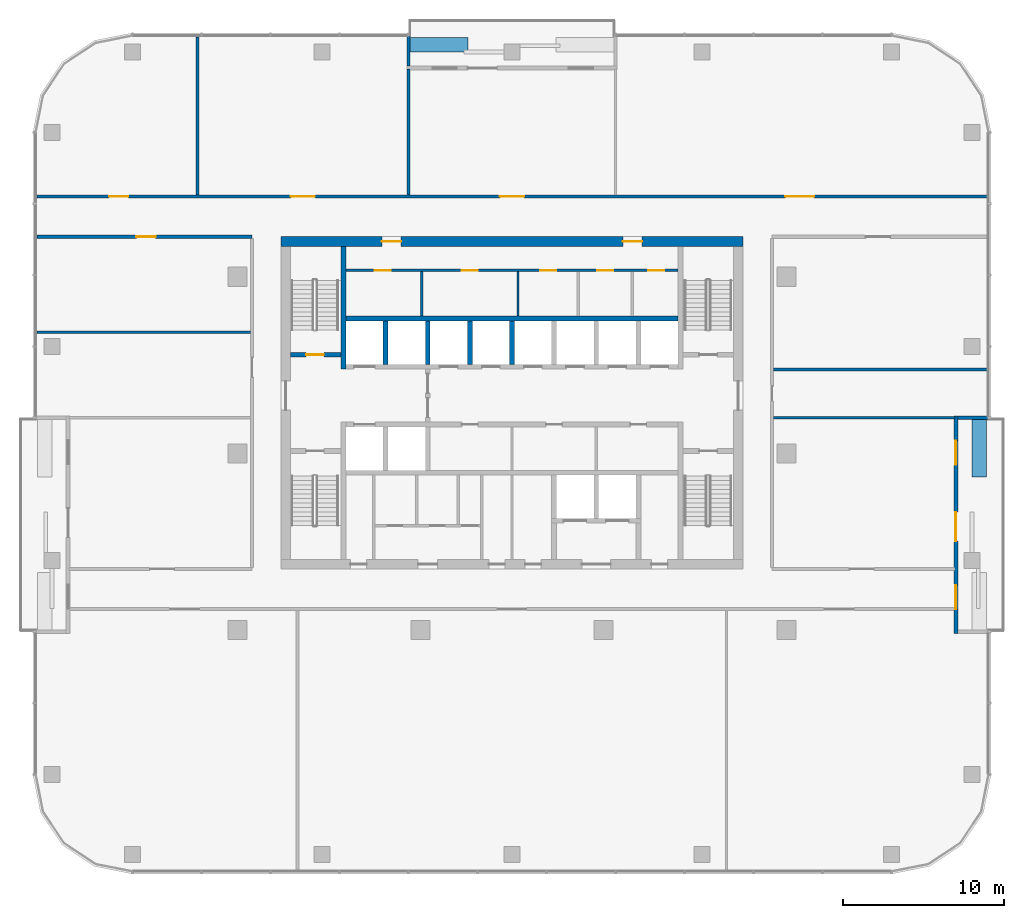
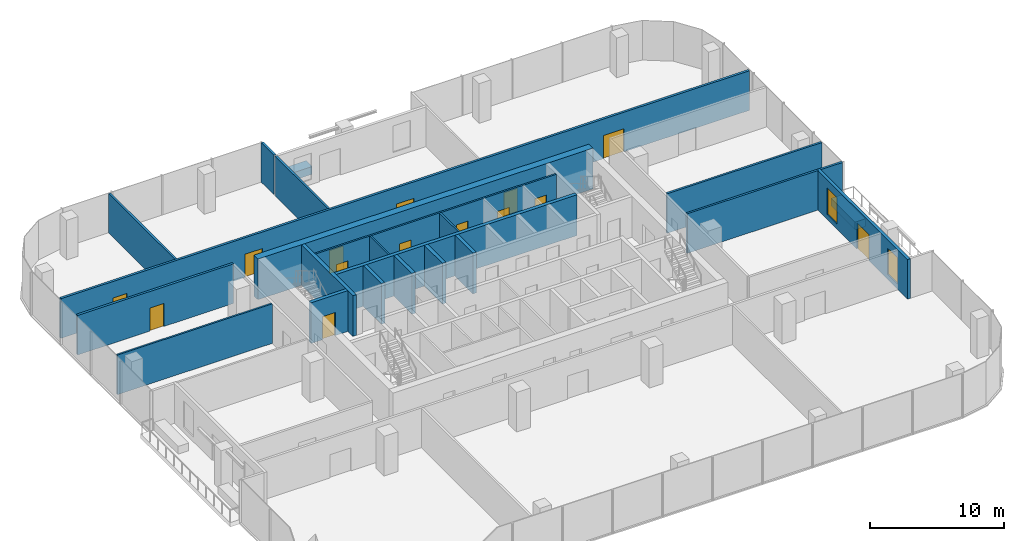
# One storey, part 9 of 13: 23 walls, 14 doors, 2 windows, 16 openings.
"""IFC4 building model written with IfcOpenShell, lengths in metres."""

from ifc_helpers import new_model, si_unit, direction, frame, frame_2d, origin, place, context, subcontext, project, spatial, rectangle, extrude, material, layer, layer_set, type_object, element, fill, save


model = new_model("IFC4")

# Units and contexts
model_context = context("Model", 3, precision=1e-05, world=origin(), true_north=direction((0.0, 1.0)))
body_context = subcontext(model_context, "Body", "Model", "MODEL_VIEW")
ifc_project = project(units=[si_unit("LENGTHUNIT", "METRE"), si_unit("AREAUNIT", "SQUARE_METRE"), si_unit("VOLUMEUNIT", "CUBIC_METRE"), si_unit("PLANEANGLEUNIT", "RADIAN"), si_unit("MASSUNIT", "GRAM", prefix="KILO")], contexts=[model_context])

# Site, building, storey
site_placement = place(None, origin())
site = spatial("IfcSite", under=ifc_project, at=site_placement, CompositionType="ELEMENT")
building_placement = place(site_placement, origin())
building = spatial("IfcBuilding", under=site, at=building_placement, Name="Mopane Tessera Tower", CompositionType="ELEMENT")
storey_placement = place(building_placement, frame((0.0, 0.0, 275.39990234375)))
storey = spatial("IfcBuildingStorey", under=building, at=storey_placement, Name="L59", CompositionType="ELEMENT", Elevation=275.39990234375)

# Walls
ifc_material_1 = material(Name="Fire-rated gypsum board partition")
ifc_layer_1 = layer(ifc_material_1, 0.14990234375)
ifc_layer_set_1 = layer_set([ifc_layer_1], Name="Fire-rated gypsum board partition")
wall_type_1 = type_object("IfcWallType", Name="Core room partition 150 mm", PredefinedType="PARTITIONING", material=ifc_layer_set_1)
for number, where, z_axis, x_axis, name in (
    (1, (-5.625, 8.550048828125, 0.0), (0.0, 0.0, 1.0), (0.0, 1.0, 0.0), "L59 Room partition"),
    (2, (0.375, 8.550048828125, 0.0), (0.0, 0.0, 1.0), (0.0, 1.0, 0.0), "L59 Room partition"),
):
    element("IfcWall", number, at=place(storey_placement, frame(where, z_axis=z_axis, x_axis=x_axis)), inside=storey, type_object=wall_type_1, Name=name, PredefinedType="PARTITIONING", context=body_context, shape_type="SweptSolid", body=[
        extrude(rectangle(XDim=2.77490234375, YDim=0.14990234375, at=frame_2d((1.387451171875, 0.0))), origin(), (0.0, 0.0, 1.0), 3.7001953125),
    ])

# Wall, openings, doors
wall_1_placement = place(storey_placement, frame((-10.35009765625, 11.39990234375, 0.0), z_axis=(0.0, 0.0, 1.0), x_axis=(1.0, 0.0, 0.0)))
wall_1 = element("IfcWall", 3, at=wall_1_placement, inside=storey, type_object=wall_type_1, Name="L59 Corridor wall", PredefinedType="PARTITIONING", context=body_context, shape_type="SweptSolid", body=[
    extrude(rectangle(XDim=20.7001953125, YDim=0.14990234375, at=frame_2d((10.35009765625, 0.0))), origin(), (0.0, 0.0, 1.0), 3.7001953125),
])
opening_1_placement = place(wall_1_placement, frame((1.78759765625, 0.0, 0.0)))
opening_1 = element("IfcOpeningElement", 4, at=opening_1_placement, cuts=wall_1, Name="Opening RD1", PredefinedType="OPENING", context=body_context, shape_type="SweptSolid", body=[
    extrude(rectangle(XDim=1.0, YDim=2.10009765625, at=frame_2d((0.5, 1.050048828125))), frame((0.0, 0.0869140625, 0.0), z_axis=(0.0, -1.0, 0.0), x_axis=(1.0, 0.0, 0.0)), (0.0, 0.0, 1.0), 0.173828125),
])
opening_2_placement = place(wall_1_placement, frame((7.22509765625, 0.0, 0.0)))
opening_2 = element("IfcOpeningElement", 5, at=opening_2_placement, cuts=wall_1, Name="Opening RD1", PredefinedType="OPENING", context=body_context, shape_type="SweptSolid", body=[
    extrude(rectangle(XDim=1.0, YDim=2.10009765625, at=frame_2d((0.5, 1.050048828125))), frame((0.0, 0.0869140625, 0.0), z_axis=(0.0, -1.0, 0.0), x_axis=(1.0, 0.0, 0.0)), (0.0, 0.0, 1.0), 0.173828125),
])
opening_3_placement = place(wall_1_placement, frame((12.10009765625, 0.0, 0.0)))
opening_3 = element("IfcOpeningElement", 6, at=opening_3_placement, cuts=wall_1, Name="Opening RD1", PredefinedType="OPENING", context=body_context, shape_type="SweptSolid", body=[
    extrude(rectangle(XDim=1.0, YDim=2.10009765625, at=frame_2d((0.5, 1.050048828125))), frame((0.0, 0.0869140625, 0.0), z_axis=(0.0, -1.0, 0.0), x_axis=(1.0, 0.0, 0.0)), (0.0, 0.0, 1.0), 0.173828125),
])
opening_4_placement = place(wall_1_placement, frame((15.66259765625, 0.0, 0.0)))
opening_4 = element("IfcOpeningElement", 7, at=opening_4_placement, cuts=wall_1, Name="Opening RD1", PredefinedType="OPENING", context=body_context, shape_type="SweptSolid", body=[
    extrude(rectangle(XDim=1.0, YDim=2.10009765625, at=frame_2d((0.5, 1.050048828125))), frame((0.0, 0.0869140625, 0.0), z_axis=(0.0, -1.0, 0.0), x_axis=(1.0, 0.0, 0.0)), (0.0, 0.0, 1.0), 0.173828125),
])
opening_5_placement = place(wall_1_placement, frame((18.85009765625, 0.0, 0.0)))
opening_5 = element("IfcOpeningElement", 8, at=opening_5_placement, cuts=wall_1, Name="Opening RD1", PredefinedType="OPENING", context=body_context, shape_type="SweptSolid", body=[
    extrude(rectangle(XDim=1.0, YDim=2.10009765625, at=frame_2d((0.5, 1.050048828125))), frame((0.0, 0.0869140625, 0.0), z_axis=(0.0, -1.0, 0.0), x_axis=(1.0, 0.0, 0.0)), (0.0, 0.0, 1.0), 0.173828125),
])
ifc_material_2 = material(Name="Timber door", Category="wood")
door_type_1 = type_object("IfcDoorType", Name="Core room door 1000 x 2100", OperationType="SINGLE_SWING_LEFT", PredefinedType="DOOR", material=ifc_material_2)
door_1_placement = place(opening_1_placement, origin())
door_1 = element("IfcDoor", 9, at=door_1_placement, inside=storey, type_object=door_type_1, Name="L59 Room door", OperationType="SINGLE_SWING_LEFT", OverallHeight=2.10009765625, OverallWidth=1.0, PredefinedType="DOOR", context=body_context, shape_type="SweptSolid", body=[
    extrude(rectangle(XDim=1.0, YDim=2.10009765625, at=frame_2d((0.5, 1.050048828125))), frame((0.0, 0.02490234375, 0.0), z_axis=(0.0, -1.0, 0.0), x_axis=(1.0, 0.0, 0.0)), (0.0, 0.0, 1.0), 0.050048828125),
])
fill(opening_1, door_1)
door_2_placement = place(opening_2_placement, origin())
door_2 = element("IfcDoor", 10, at=door_2_placement, inside=storey, type_object=door_type_1, Name="L59 Room door", OperationType="SINGLE_SWING_LEFT", OverallHeight=2.10009765625, OverallWidth=1.0, PredefinedType="DOOR", context=body_context, shape_type="SweptSolid", body=[
    extrude(rectangle(XDim=1.0, YDim=2.10009765625, at=frame_2d((0.5, 1.050048828125))), frame((0.0, 0.02490234375, 0.0), z_axis=(0.0, -1.0, 0.0), x_axis=(1.0, 0.0, 0.0)), (0.0, 0.0, 1.0), 0.050048828125),
])
fill(opening_2, door_2)
door_3_placement = place(opening_3_placement, origin())
door_3 = element("IfcDoor", 11, at=door_3_placement, inside=storey, type_object=door_type_1, Name="L59 Room door", OperationType="SINGLE_SWING_LEFT", OverallHeight=2.10009765625, OverallWidth=1.0, PredefinedType="DOOR", context=body_context, shape_type="SweptSolid", body=[
    extrude(rectangle(XDim=1.0, YDim=2.10009765625, at=frame_2d((0.5, 1.050048828125))), frame((0.0, 0.02490234375, 0.0), z_axis=(0.0, -1.0, 0.0), x_axis=(1.0, 0.0, 0.0)), (0.0, 0.0, 1.0), 0.050048828125),
])
fill(opening_3, door_3)
door_4_placement = place(opening_4_placement, origin())
door_4 = element("IfcDoor", 12, at=door_4_placement, inside=storey, type_object=door_type_1, Name="L59 Room door", OperationType="SINGLE_SWING_LEFT", OverallHeight=2.10009765625, OverallWidth=1.0, PredefinedType="DOOR", context=body_context, shape_type="SweptSolid", body=[
    extrude(rectangle(XDim=1.0, YDim=2.10009765625, at=frame_2d((0.5, 1.050048828125))), frame((0.0, 0.02490234375, 0.0), z_axis=(0.0, -1.0, 0.0), x_axis=(1.0, 0.0, 0.0)), (0.0, 0.0, 1.0), 0.050048828125),
])
fill(opening_4, door_4)
door_5_placement = place(opening_5_placement, origin())
door_5 = element("IfcDoor", 13, at=door_5_placement, inside=storey, type_object=door_type_1, Name="L59 Room door", OperationType="SINGLE_SWING_LEFT", OverallHeight=2.10009765625, OverallWidth=1.0, PredefinedType="DOOR", context=body_context, shape_type="SweptSolid", body=[
    extrude(rectangle(XDim=1.0, YDim=2.10009765625, at=frame_2d((0.5, 1.050048828125))), frame((0.0, 0.02490234375, 0.0), z_axis=(0.0, -1.0, 0.0), x_axis=(1.0, 0.0, 0.0)), (0.0, 0.0, 1.0), 0.050048828125),
])
fill(opening_5, door_5)

ifc_material_3 = material(Name="Concrete C70/85", Category="concrete")
ifc_layer_2 = layer(ifc_material_3, 0.60009765625)
ifc_layer_set_2 = layer_set([ifc_layer_2], Name="Concrete C70/85")
wall_type_2 = type_object("IfcWallType", Name="Core shear wall 600 mm", PredefinedType="SHEAR", material=ifc_layer_set_2)
wall_2_placement = place(storey_placement, frame((-14.39990234375, 13.199951171875, 0.0), z_axis=(0.0, 0.0, 1.0), x_axis=(1.0, 0.0, 0.0)))
wall_2 = element("IfcWall", 14, at=wall_2_placement, inside=storey, type_object=wall_type_2, Name="L59 Core wall north", PredefinedType="SHEAR", context=body_context, shape_type="SweptSolid", body=[
    extrude(rectangle(XDim=28.7998046875, YDim=0.60009765625, at=frame_2d((14.39990234375, 0.0))), origin(), (0.0, 0.0, 1.0), 3.7001953125),
])
opening_6_placement = place(wall_2_placement, frame((6.300048828125, 0.0, 0.0)))
opening_6 = element("IfcOpeningElement", 15, at=opening_6_placement, cuts=wall_2, Name="Opening RD2", PredefinedType="OPENING", context=body_context, shape_type="SweptSolid", body=[
    extrude(rectangle(XDim=1.199951171875, YDim=2.10009765625, at=frame_2d((0.60009765625, 1.050048828125))), frame((0.0, 0.31201171875, 0.0), z_axis=(0.0, -1.0, 0.0), x_axis=(1.0, 0.0, 0.0)), (0.0, 0.0, 1.0), 0.6240234375),
])
opening_7_placement = place(wall_2_placement, frame((21.300048828125, 0.0, 0.0)))
opening_7 = element("IfcOpeningElement", 16, at=opening_7_placement, cuts=wall_2, Name="Opening RD2", PredefinedType="OPENING", context=body_context, shape_type="SweptSolid", body=[
    extrude(rectangle(XDim=1.199951171875, YDim=2.10009765625, at=frame_2d((0.60009765625, 1.050048828125))), frame((0.0, 0.31201171875, 0.0), z_axis=(0.0, -1.0, 0.0), x_axis=(1.0, 0.0, 0.0)), (0.0, 0.0, 1.0), 0.6240234375),
])
ifc_material_4 = material(Name="Timber door", Category="wood")
door_type_2 = type_object("IfcDoorType", Name="Core corridor door 1200 x 2100", OperationType="SINGLE_SWING_LEFT", PredefinedType="DOOR", material=ifc_material_4)
door_6_placement = place(opening_6_placement, origin())
door_6 = element("IfcDoor", 17, at=door_6_placement, inside=storey, type_object=door_type_2, Name="L59 Corridor door", OperationType="SINGLE_SWING_LEFT", OverallHeight=2.10009765625, OverallWidth=1.199951171875, PredefinedType="DOOR", context=body_context, shape_type="SweptSolid", body=[
    extrude(rectangle(XDim=1.199951171875, YDim=2.10009765625, at=frame_2d((0.60009765625, 1.050048828125))), frame((0.0, 0.02490234375, 0.0), z_axis=(0.0, -1.0, 0.0), x_axis=(1.0, 0.0, 0.0)), (0.0, 0.0, 1.0), 0.050048828125),
])
fill(opening_6, door_6)
door_7_placement = place(opening_7_placement, origin())
door_7 = element("IfcDoor", 18, at=door_7_placement, inside=storey, type_object=door_type_2, Name="L59 Corridor door", OperationType="SINGLE_SWING_RIGHT", OverallHeight=2.10009765625, OverallWidth=1.199951171875, PredefinedType="DOOR", context=body_context, shape_type="SweptSolid", body=[
    extrude(rectangle(XDim=1.199951171875, YDim=2.10009765625, at=frame_2d((0.60009765625, 1.050048828125))), frame((0.0, 0.02490234375, 0.0), z_axis=(0.0, -1.0, 0.0), x_axis=(1.0, 0.0, 0.0)), (0.0, 0.0, 1.0), 0.050048828125),
])
fill(opening_7, door_7)

# Walls
ifc_material_5 = material(Name="Concrete C60/75", Category="concrete")
ifc_layer_3 = layer(ifc_material_5, 0.300048828125)
ifc_layer_set_3 = layer_set([ifc_layer_3], Name="Concrete C60/75")
wall_type_3 = type_object("IfcWallType", Name="Core spine wall 300 mm", PredefinedType="SHEAR", material=ifc_layer_set_3)
wall_3_placement = place(storey_placement, frame((-10.5, 5.25, 0.0), z_axis=(0.0, 0.0, 1.0), x_axis=(0.0, 1.0, 0.0)))
element("IfcWall", 19, at=wall_3_placement, inside=storey, type_object=wall_type_3, Name="L59 Core spine wall", PredefinedType="SHEAR", context=body_context, shape_type="SweptSolid", body=[
    extrude(rectangle(XDim=7.64990234375, YDim=0.300048828125, at=frame_2d((3.824951171875, 0.0))), origin(), (0.0, 0.0, 1.0), 3.7001953125),
])
ifc_material_6 = material(Name="Gypsum board on staggered steel studs, double layer each face, acoustic mineral wool infill", Category="steel")
ifc_layer_4 = layer(ifc_material_6, 0.175048828125)
ifc_layer_set_4 = layer_set([ifc_layer_4], Name="Gypsum board on staggered steel studs, double layer each face, acoustic mineral wool infill")
wall_type_4 = type_object("IfcWallType", Name="Gypsum board acoustic partition 175, rated EI 60", PredefinedType="PARTITIONING", material=ifc_layer_set_4)
wall_4_placement = place(storey_placement, frame((16.300048828125, 2.219970703125, 0.0), z_axis=(0.0, 0.0, 1.0), x_axis=(1.0, 0.0, 0.0)))
element("IfcWall", 20, at=wall_4_placement, inside=storey, type_object=wall_type_4, Name="Partition L59:004", PredefinedType="PARTITIONING", context=body_context, shape_type="SweptSolid", body=[
    extrude(rectangle(XDim=11.300048828125, YDim=0.175048828125, at=frame_2d((5.64990234375, 0.0))), origin(), (0.0, 0.0, 1.0), 3.60009765625),
])
wall_5_placement = place(storey_placement, frame((16.300048828125, 5.219970703125, 0.0), z_axis=(0.0, 0.0, 1.0), x_axis=(1.0, 0.0, 0.0)))
element("IfcWall", 21, at=wall_5_placement, inside=storey, type_object=wall_type_4, Name="Partition L59:005", PredefinedType="PARTITIONING", context=body_context, shape_type="SweptSolid", body=[
    extrude(rectangle(XDim=13.300048828125, YDim=0.175048828125, at=frame_2d((6.64990234375, 0.0))), origin(), (0.0, 0.0, 1.0), 3.60009765625),
])
wall_6_placement = place(storey_placement, frame((-19.60009765625, 16.10009765625, 0.0), z_axis=(0.0, 0.0, 1.0), x_axis=(0.0, 1.0, 0.0)))
element("IfcWall", 22, at=wall_6_placement, inside=storey, type_object=wall_type_4, Name="Partition L59:010", PredefinedType="PARTITIONING", context=body_context, shape_type="SweptSolid", body=[
    extrude(rectangle(XDim=9.849853515625, YDim=0.175048828125, at=frame_2d((4.9248046875, 0.0))), origin(), (0.0, 0.0, 1.0), 3.60009765625),
])
wall_7_placement = place(storey_placement, frame((-6.449951171875, 16.10009765625, 0.0), z_axis=(0.0, 0.0, 1.0), x_axis=(0.0, 1.0, 0.0)))
element("IfcWall", 23, at=wall_7_placement, inside=storey, type_object=wall_type_4, Name="Partition L59:013", PredefinedType="PARTITIONING", context=body_context, shape_type="SweptSolid", body=[
    extrude(rectangle(XDim=7.849853515625, YDim=0.175048828125, at=frame_2d((3.9248046875, 0.0))), origin(), (0.0, 0.0, 1.0), 3.60009765625),
])

# Wall, opening, door
ifc_material_7 = material(Name="Gypsum board on steel studs, two layers each face, mineral wool infill", Category="steel")
ifc_layer_5 = layer(ifc_material_7, 0.199951171875)
ifc_layer_set_5 = layer_set([ifc_layer_5], Name="Gypsum board on steel studs, two layers each face, mineral wool infill")
wall_type_5 = type_object("IfcWallType", Name="Gypsum board corridor wall 200, rated EI 60", PredefinedType="PARTITIONING", material=ifc_layer_set_5)
wall_8_placement = place(storey_placement, frame((-29.60009765625, 13.5, 0.0), z_axis=(0.0, 0.0, 1.0), x_axis=(1.0, 0.0, 0.0)))
wall_8 = element("IfcWall", 24, at=wall_8_placement, inside=storey, type_object=wall_type_5, Name="Partition L59:007", PredefinedType="PARTITIONING", context=body_context, shape_type="SweptSolid", body=[
    extrude(rectangle(XDim=13.400146484375, YDim=0.199951171875, at=frame_2d((6.7001953125, 0.0))), origin(), (0.0, 0.0, 1.0), 3.60009765625),
])
opening_8_placement = place(wall_8_placement, frame((6.199951171875, 0.0, 0.0)))
opening_8 = element("IfcOpeningElement", 25, at=opening_8_placement, cuts=wall_8, Name="Opening L59-06", PredefinedType="OPENING", context=body_context, shape_type="SweptSolid", body=[
    extrude(rectangle(XDim=1.199951171875, YDim=2.10009765625, at=frame_2d((0.60009765625, 1.050048828125))), frame((0.0, 0.112060546875, 0.0), z_axis=(0.0, -1.0, 0.0), x_axis=(1.0, 0.0, 0.0)), (0.0, 0.0, 1.0), 0.223876953125),
])
ifc_material_8 = material(Name="Timber veneered steel-framed fire door", Category="steel")
door_type_3 = type_object("IfcDoorType", Name="Fire door FD60 1200 x 2100", OperationType="SINGLE_SWING_LEFT", PredefinedType="DOOR", material=ifc_material_8)
door_8_placement = place(opening_8_placement, origin())
door_8 = element("IfcDoor", 26, at=door_8_placement, inside=storey, type_object=door_type_3, Name="Door L59-06", ObjectType="D15A", OperationType="SINGLE_SWING_RIGHT", OverallHeight=2.10009765625, OverallWidth=1.199951171875, PredefinedType="DOOR", context=body_context, shape_type="SweptSolid", body=[
    extrude(rectangle(XDim=1.199951171875, YDim=2.10009765625, at=frame_2d((0.60009765625, 1.050048828125))), frame((0.0, 0.02490234375, 0.0), z_axis=(0.0, -1.0, 0.0), x_axis=(1.0, 0.0, 0.0)), (0.0, 0.0, 1.0), 0.050048828125),
])
fill(opening_8, door_8)

# Wall, openings, doors
wall_9_placement = place(storey_placement, frame((-29.60009765625, 16.0, 0.0), z_axis=(0.0, 0.0, 1.0), x_axis=(1.0, 0.0, 0.0)))
wall_9 = element("IfcWall", 27, at=wall_9_placement, inside=storey, type_object=wall_type_5, Name="Partition L59:009", PredefinedType="PARTITIONING", context=body_context, shape_type="SweptSolid", body=[
    extrude(rectangle(XDim=59.2001953125, YDim=0.199951171875, at=frame_2d((29.60009765625, 0.0))), origin(), (0.0, 0.0, 1.0), 3.60009765625),
])
opening_9_placement = place(wall_9_placement, frame((46.625, 0.0, 0.0)))
opening_9 = element("IfcOpeningElement", 28, at=opening_9_placement, cuts=wall_9, Name="Opening L59-01", PredefinedType="OPENING", context=body_context, shape_type="SweptSolid", body=[
    extrude(rectangle(XDim=1.800048828125, YDim=2.10009765625, at=frame_2d((0.89990234375, 1.050048828125))), frame((0.0, 0.112060546875, 0.0), z_axis=(0.0, -1.0, 0.0), x_axis=(1.0, 0.0, 0.0)), (0.0, 0.0, 1.0), 0.223876953125),
])
opening_10_placement = place(wall_9_placement, frame((28.85009765625, 0.0, 0.0)))
opening_10 = element("IfcOpeningElement", 29, at=opening_10_placement, cuts=wall_9, Name="Opening L59-04", PredefinedType="OPENING", context=body_context, shape_type="SweptSolid", body=[
    extrude(rectangle(XDim=1.5, YDim=2.10009765625, at=frame_2d((0.75, 1.050048828125))), frame((0.0, 0.112060546875, 0.0), z_axis=(0.0, -1.0, 0.0), x_axis=(1.0, 0.0, 0.0)), (0.0, 0.0, 1.0), 0.223876953125),
])
opening_11_placement = place(wall_9_placement, frame((4.5, 0.0, 0.0)))
opening_11 = element("IfcOpeningElement", 30, at=opening_11_placement, cuts=wall_9, Name="Opening L59-08", PredefinedType="OPENING", context=body_context, shape_type="SweptSolid", body=[
    extrude(rectangle(XDim=1.199951171875, YDim=2.10009765625, at=frame_2d((0.60009765625, 1.050048828125))), frame((0.0, 0.112060546875, 0.0), z_axis=(0.0, -1.0, 0.0), x_axis=(1.0, 0.0, 0.0)), (0.0, 0.0, 1.0), 0.223876953125),
])
opening_12_placement = place(wall_9_placement, frame((15.824951171875, 0.0, 0.0)))
opening_12 = element("IfcOpeningElement", 31, at=opening_12_placement, cuts=wall_9, Name="Opening L59-12", PredefinedType="OPENING", context=body_context, shape_type="SweptSolid", body=[
    extrude(rectangle(XDim=1.5, YDim=2.10009765625, at=frame_2d((0.75, 1.050048828125))), frame((0.0, 0.112060546875, 0.0), z_axis=(0.0, -1.0, 0.0), x_axis=(1.0, 0.0, 0.0)), (0.0, 0.0, 1.0), 0.223876953125),
])
door_9_placement = place(opening_11_placement, origin())
door_9 = element("IfcDoor", 32, at=door_9_placement, inside=storey, type_object=door_type_3, Name="Door L59-08", ObjectType="D15A", OperationType="SINGLE_SWING_LEFT", OverallHeight=2.10009765625, OverallWidth=1.199951171875, PredefinedType="DOOR", context=body_context, shape_type="SweptSolid", body=[
    extrude(rectangle(XDim=1.199951171875, YDim=2.10009765625, at=frame_2d((0.60009765625, 1.050048828125))), frame((0.0, 0.02490234375, 0.0), z_axis=(0.0, -1.0, 0.0), x_axis=(1.0, 0.0, 0.0)), (0.0, 0.0, 1.0), 0.050048828125),
])
fill(opening_11, door_9)
ifc_material_9 = material(Name="Timber veneered steel-framed fire door", Category="steel")
door_type_4 = type_object("IfcDoorType", Name="Fire door pair FD60 1500 x 2100", OperationType="DOUBLE_DOOR_SINGLE_SWING", PredefinedType="DOOR", material=ifc_material_9)
door_10_placement = place(opening_10_placement, origin())
door_10 = element("IfcDoor", 33, at=door_10_placement, inside=storey, type_object=door_type_4, Name="Door L59-04", ObjectType="D17A", OperationType="DOUBLE_DOOR_SINGLE_SWING", OverallHeight=2.10009765625, OverallWidth=1.5, PredefinedType="DOOR", context=body_context, shape_type="SweptSolid", body=[
    extrude(rectangle(XDim=1.5, YDim=2.10009765625, at=frame_2d((0.75, 1.050048828125))), frame((0.0, 0.02490234375, 0.0), z_axis=(0.0, -1.0, 0.0), x_axis=(1.0, 0.0, 0.0)), (0.0, 0.0, 1.0), 0.050048828125),
])
fill(opening_10, door_10)
door_11_placement = place(opening_12_placement, origin())
door_11 = element("IfcDoor", 34, at=door_11_placement, inside=storey, type_object=door_type_4, Name="Door L59-12", ObjectType="D17A", OperationType="DOUBLE_DOOR_SINGLE_SWING", OverallHeight=2.10009765625, OverallWidth=1.5, PredefinedType="DOOR", context=body_context, shape_type="SweptSolid", body=[
    extrude(rectangle(XDim=1.5, YDim=2.10009765625, at=frame_2d((0.75, 1.050048828125))), frame((0.0, 0.02490234375, 0.0), z_axis=(0.0, -1.0, 0.0), x_axis=(1.0, 0.0, 0.0)), (0.0, 0.0, 1.0), 0.050048828125),
])
fill(opening_12, door_11)
ifc_material_10 = material(Name="Timber veneered steel-framed fire door", Category="steel")
door_type_5 = type_object("IfcDoorType", Name="Fire door pair FD60 1800 x 2100", OperationType="DOUBLE_DOOR_SINGLE_SWING", PredefinedType="DOOR", material=ifc_material_10)
door_12_placement = place(opening_9_placement, origin())
door_12 = element("IfcDoor", 35, at=door_12_placement, inside=storey, type_object=door_type_5, Name="Door L59-01", ObjectType="D20A", OperationType="DOUBLE_DOOR_SINGLE_SWING", OverallHeight=2.10009765625, OverallWidth=1.800048828125, PredefinedType="DOOR", context=body_context, shape_type="SweptSolid", body=[
    extrude(rectangle(XDim=1.800048828125, YDim=2.10009765625, at=frame_2d((0.89990234375, 1.050048828125))), frame((0.0, 0.02490234375, 0.0), z_axis=(0.0, -1.0, 0.0), x_axis=(1.0, 0.0, 0.0)), (0.0, 0.0, 1.0), 0.050048828125),
])
fill(opening_9, door_12)

# Wall
ifc_material_11 = material(Name="Gypsum board on steel studs, mineral wool infill", Category="steel")
ifc_layer_6 = layer(ifc_material_11, 0.14990234375)
ifc_layer_set_6 = layer_set([ifc_layer_6], Name="Gypsum board on steel studs, mineral wool infill")
wall_type_6 = type_object("IfcWallType", Name="Gypsum board partition 150, rated EI 60", PredefinedType="PARTITIONING", material=ifc_layer_set_6)
wall_10_placement = place(storey_placement, frame((-29.60009765625, 7.5400390625, 0.0), z_axis=(0.0, 0.0, 1.0), x_axis=(1.0, 0.0, 0.0)))
element("IfcWall", 36, at=wall_10_placement, inside=storey, type_object=wall_type_6, Name="Partition L59:006", PredefinedType="PARTITIONING", context=body_context, shape_type="SweptSolid", body=[
    extrude(rectangle(XDim=13.300048828125, YDim=0.14990234375, at=frame_2d((6.64990234375, 0.0))), origin(), (0.0, 0.0, 1.0), 3.60009765625),
])

# Wall, opening, door
ifc_material_12 = material(Name="Concrete C50/60", Category="concrete")
ifc_layer_7 = layer(ifc_material_12, 0.300048828125)
ifc_layer_set_7 = layer_set([ifc_layer_7], Name="Concrete C50/60")
wall_type_7 = type_object("IfcWallType", Name="Lift and stair shaft wall 300 mm", PredefinedType="SOLIDWALL", material=ifc_layer_set_7)
wall_11_placement = place(storey_placement, frame((-13.800048828125, 6.14990234375, 0.0), z_axis=(0.0, 0.0, 1.0), x_axis=(1.0, 0.0, 0.0)))
wall_11 = element("IfcWall", 37, at=wall_11_placement, inside=storey, type_object=wall_type_7, Name="L59 Stair enclosure wall", PredefinedType="SOLIDWALL", context=body_context, shape_type="SweptSolid", body=[
    extrude(rectangle(XDim=3.150146484375, YDim=0.300048828125, at=frame_2d((1.5751953125, 0.0))), origin(), (0.0, 0.0, 1.0), 3.7001953125),
])
opening_13_placement = place(wall_11_placement, frame((0.97509765625, 0.0, 0.0)))
opening_13 = element("IfcOpeningElement", 38, at=opening_13_placement, cuts=wall_11, Name="Opening SD1", PredefinedType="OPENING", context=body_context, shape_type="SweptSolid", body=[
    extrude(rectangle(XDim=1.10009765625, YDim=2.10009765625, at=frame_2d((0.550048828125, 1.050048828125))), frame((0.0, 0.162109375, 0.0), z_axis=(0.0, -1.0, 0.0), x_axis=(1.0, 0.0, 0.0)), (0.0, 0.0, 1.0), 0.323974609375),
])
ifc_material_13 = material(Name="Steel fire door", Category="steel")
door_type_6 = type_object("IfcDoorType", Name="Stair fire door 1100 x 2100", OperationType="SINGLE_SWING_LEFT", PredefinedType="DOOR", material=ifc_material_13)
door_13_placement = place(opening_13_placement, origin())
door_13 = element("IfcDoor", 39, at=door_13_placement, inside=storey, type_object=door_type_6, Name="L59 Stair door ST2", OperationType="SINGLE_SWING_LEFT", OverallHeight=2.10009765625, OverallWidth=1.10009765625, PredefinedType="DOOR", context=body_context, shape_type="SweptSolid", body=[
    extrude(rectangle(XDim=1.10009765625, YDim=2.10009765625, at=frame_2d((0.550048828125, 1.050048828125))), frame((0.0, 0.02490234375, 0.0), z_axis=(0.0, -1.0, 0.0), x_axis=(1.0, 0.0, 0.0)), (0.0, 0.0, 1.0), 0.050048828125),
])
fill(opening_13, door_13)

# Walls
wall_12_placement = place(storey_placement, frame((-10.35009765625, 8.39990234375, 0.0), z_axis=(0.0, 0.0, 1.0), x_axis=(1.0, 0.0, 0.0)))
element("IfcWall", 40, at=wall_12_placement, inside=storey, type_object=wall_type_7, Name="L59 Lift shaft rear wall", PredefinedType="SOLIDWALL", context=body_context, shape_type="SweptSolid", body=[
    extrude(rectangle(XDim=20.7001953125, YDim=0.300048828125, at=frame_2d((10.35009765625, 0.0))), origin(), (0.0, 0.0, 1.0), 3.7001953125),
])
for number, where, z_axis, x_axis, name in (
    (41, (-7.875, 5.550048828125, 0.0), (0.0, 0.0, 1.0), (0.0, 1.0, 0.0), "L59 Lift shaft wall"),
    (42, (-5.25, 5.550048828125, 0.0), (0.0, 0.0, 1.0), (0.0, 1.0, 0.0), "L59 Lift shaft wall"),
    (43, (-2.625, 5.550048828125, 0.0), (0.0, 0.0, 1.0), (0.0, 1.0, 0.0), "L59 Lift shaft wall"),
    (44, (0.0, 5.550048828125, 0.0), (0.0, 0.0, 1.0), (0.0, 1.0, 0.0), "L59 Lift shaft wall"),
):
    element("IfcWall", number, at=place(storey_placement, frame(where, z_axis=z_axis, x_axis=x_axis)), inside=storey, type_object=wall_type_7, Name=name, PredefinedType="SOLIDWALL", context=body_context, shape_type="SweptSolid", body=[
        extrude(rectangle(XDim=2.699951171875, YDim=0.300048828125, at=frame_2d((1.35009765625, 0.0))), origin(), (0.0, 0.0, 1.0), 3.7001953125),
    ])
ifc_material_14 = material(Name="Reinforced concrete C32/40 with waterproofing", Category="concrete")
ifc_layer_8 = layer(ifc_material_14, 0.89990234375)
ifc_layer_set_8 = layer_set([ifc_layer_8], Name="Reinforced concrete C32/40 with waterproofing")
wall_type_8 = type_object("IfcWallType", Name="Planter trough 3600 x 900", PredefinedType="STANDARD", material=ifc_layer_set_8)
for number, where, z_axis, x_axis, name in (
    (45, (29.10009765625, -1.477783203125, 0.0), (0.0, 0.0, 1.0), (0.0, 1.0, 0.0), "e:nw:L59:N1:pl1"),
    (46, (-2.75, 25.449951171875, 0.0), (0.0, 0.0, 1.0), (-1.0, 0.0, 0.0), "e:nw:L59:N2:pl1"),
):
    element("IfcWall", number, at=place(storey_placement, frame(where, z_axis=z_axis, x_axis=x_axis)), inside=storey, type_object=wall_type_8, Name=name, PredefinedType="STANDARD", context=body_context, shape_type="SweptSolid", body=[
        extrude(rectangle(XDim=3.60009765625, YDim=0.89990234375, at=frame_2d((1.800048828125, 0.0))), origin(), (0.0, 0.0, 1.0), 0.7001953125),
    ])
ifc_material_15 = material(Name="Blockwork with glazed tile facing", Category="masonry")
ifc_layer_9 = layer(ifc_material_15, 0.199951171875)
ifc_layer_set_9 = layer_set([ifc_layer_9], Name="Blockwork with glazed tile facing")
wall_type_9 = type_object("IfcWallType", Name="Terrace cheek wall 200", PredefinedType="STANDARD", material=ifc_layer_set_9)
for number, where, z_axis, x_axis, name in (
    (47, (29.64990234375, 2.22216796875, 0.0), (0.0, 0.0, 1.0), (-1.0, 0.0, 0.0), "e:nw:L59:N1:cheekb"),
    (48, (-6.449951171875, 26.0, 0.0), (0.0, 0.0, 1.0), (0.0, -1.0, 0.0), "e:nw:L59:N2:cheekb"),
):
    element("IfcWall", number, at=place(storey_placement, frame(where, z_axis=z_axis, x_axis=x_axis)), inside=storey, type_object=wall_type_9, Name=name, PredefinedType="STANDARD", context=body_context, shape_type="SweptSolid", body=[
        extrude(rectangle(XDim=1.875, YDim=0.199951171875, at=frame_2d((0.9375, 0.0))), origin(), (0.0, 0.0, 1.0), 3.60009765625),
    ])

# Wall, openings, windows, door
ifc_material_16 = material(Name="Blockwork with turquoise glazed tile facing", Category="masonry")
ifc_layer_10 = layer(ifc_material_16, 0.25)
ifc_layer_set_10 = layer_set([ifc_layer_10], Name="Blockwork with turquoise glazed tile facing")
wall_type_10 = type_object("IfcWallType", Name="Tile-clad external wall 250, turquoise", PredefinedType="STANDARD", material=ifc_layer_set_10)
wall_13_placement = place(storey_placement, frame((27.64990234375, -11.211181640625, 0.0), z_axis=(0.0, 0.0, 1.0), x_axis=(0.0, 1.0, 0.0)))
wall_13 = element("IfcWall", 49, at=wall_13_placement, inside=storey, type_object=wall_type_10, Name="e:nw:L59:N1:back", PredefinedType="STANDARD", context=body_context, shape_type="SweptSolid", body=[
    extrude(rectangle(XDim=13.533447265625, YDim=0.25, at=frame_2d((6.7666015625, 0.0))), origin(), (0.0, 0.0, 1.0), 3.60009765625),
])
opening_14_placement = place(wall_13_placement, frame((1.5, 0.0, 0.449951171875)))
opening_14 = element("IfcOpeningElement", 50, at=opening_14_placement, cuts=wall_13, Name="Opening NW591A", PredefinedType="OPENING", context=body_context, shape_type="SweptSolid", body=[
    extrude(rectangle(XDim=1.5, YDim=2.39990234375, at=frame_2d((0.75, 1.199951171875))), frame((0.0, 0.136962890625, 0.0), z_axis=(0.0, -1.0, 0.0), x_axis=(1.0, 0.0, 0.0)), (0.0, 0.0, 1.0), 0.27392578125),
])
opening_15_placement = place(wall_13_placement, frame((5.75, 0.0, 0.0)))
opening_15 = element("IfcOpeningElement", 51, at=opening_15_placement, cuts=wall_13, Name="Opening ND591", PredefinedType="OPENING", context=body_context, shape_type="SweptSolid", body=[
    extrude(rectangle(XDim=1.800048828125, YDim=2.39990234375, at=frame_2d((0.89990234375, 1.199951171875))), frame((0.0, 0.136962890625, 0.0), z_axis=(0.0, -1.0, 0.0), x_axis=(1.0, 0.0, 0.0)), (0.0, 0.0, 1.0), 0.27392578125),
])
opening_16_placement = place(wall_13_placement, frame((10.5, 0.0, 0.449951171875)))
opening_16 = element("IfcOpeningElement", 52, at=opening_16_placement, cuts=wall_13, Name="Opening NW591B", PredefinedType="OPENING", context=body_context, shape_type="SweptSolid", body=[
    extrude(rectangle(XDim=1.5, YDim=2.39990234375, at=frame_2d((0.75, 1.199951171875))), frame((0.0, 0.136962890625, 0.0), z_axis=(0.0, -1.0, 0.0), x_axis=(1.0, 0.0, 0.0)), (0.0, 0.0, 1.0), 0.27392578125),
])
ifc_material_17 = material(Name="Clear laminated glass", Category="glass")
window_type = type_object("IfcWindowType", Name="Fixed window 1500 x 2400", PartitioningType="SINGLE_PANEL", PredefinedType="WINDOW", material=ifc_material_17)
window_1_placement = place(opening_14_placement, origin())
window_1 = element("IfcWindow", 53, at=window_1_placement, inside=storey, type_object=window_type, Name="e:nw:L59:N1:win0", OverallHeight=2.39990234375, OverallWidth=1.5, PartitioningType="SINGLE_PANEL", PredefinedType="WINDOW", context=body_context, shape_type="SweptSolid", body=[
    extrude(rectangle(XDim=1.5, YDim=2.39990234375, at=frame_2d((0.75, 1.199951171875))), frame((0.0, 0.030029296875, 0.0), z_axis=(0.0, -1.0, 0.0), x_axis=(1.0, 0.0, 0.0)), (0.0, 0.0, 1.0), 0.06005859375),
])
fill(opening_14, window_1)
window_2_placement = place(opening_16_placement, origin())
window_2 = element("IfcWindow", 54, at=window_2_placement, inside=storey, type_object=window_type, Name="e:nw:L59:N1:win2", OverallHeight=2.39990234375, OverallWidth=1.5, PartitioningType="SINGLE_PANEL", PredefinedType="WINDOW", context=body_context, shape_type="SweptSolid", body=[
    extrude(rectangle(XDim=1.5, YDim=2.39990234375, at=frame_2d((0.75, 1.199951171875))), frame((0.0, 0.030029296875, 0.0), z_axis=(0.0, -1.0, 0.0), x_axis=(1.0, 0.0, 0.0)), (0.0, 0.0, 1.0), 0.06005859375),
])
fill(opening_16, window_2)
ifc_material_18 = material(Name="Aluminium and clear glass", Category="aluminium")
door_type_7 = type_object("IfcDoorType", Name="Terrace double door 1800 x 2400", OperationType="DOUBLE_DOOR_SINGLE_SWING", PredefinedType="DOOR", material=ifc_material_18)
door_14_placement = place(opening_15_placement, origin())
door_14 = element("IfcDoor", 55, at=door_14_placement, inside=storey, type_object=door_type_7, Name="e:nw:L59:N1:door", ObjectType="D1", OperationType="DOUBLE_DOOR_SINGLE_SWING", OverallHeight=2.39990234375, OverallWidth=1.800048828125, PredefinedType="DOOR", context=body_context, shape_type="SweptSolid", body=[
    extrude(rectangle(XDim=1.800048828125, YDim=2.39990234375, at=frame_2d((0.89990234375, 1.199951171875))), frame((0.0, 0.02490234375, 0.0), z_axis=(0.0, -1.0, 0.0), x_axis=(1.0, 0.0, 0.0)), (0.0, 0.0, 1.0), 0.050048828125),
])
fill(opening_15, door_14)

save(model, "model.ifc")
